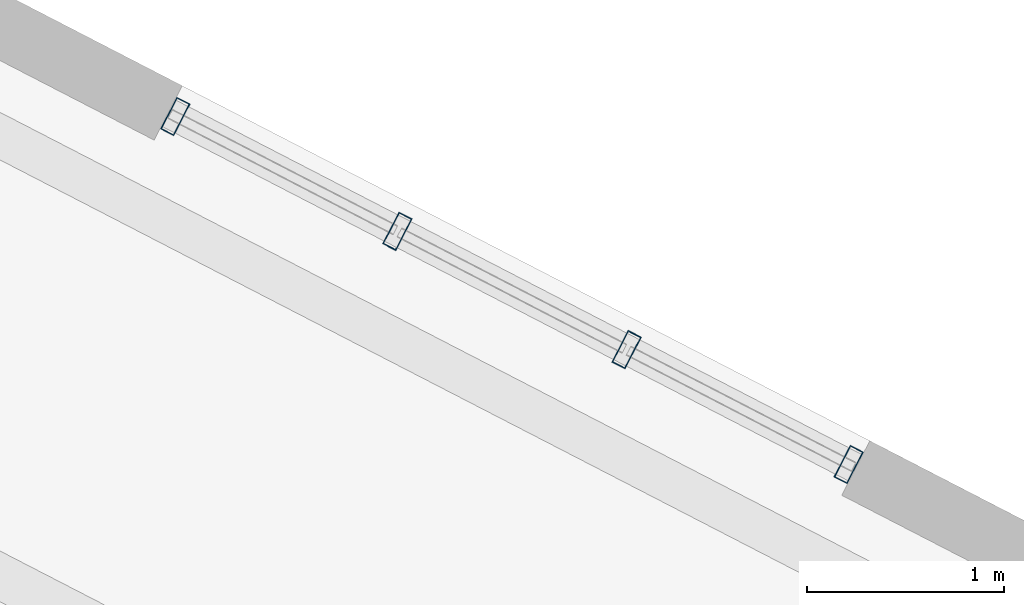
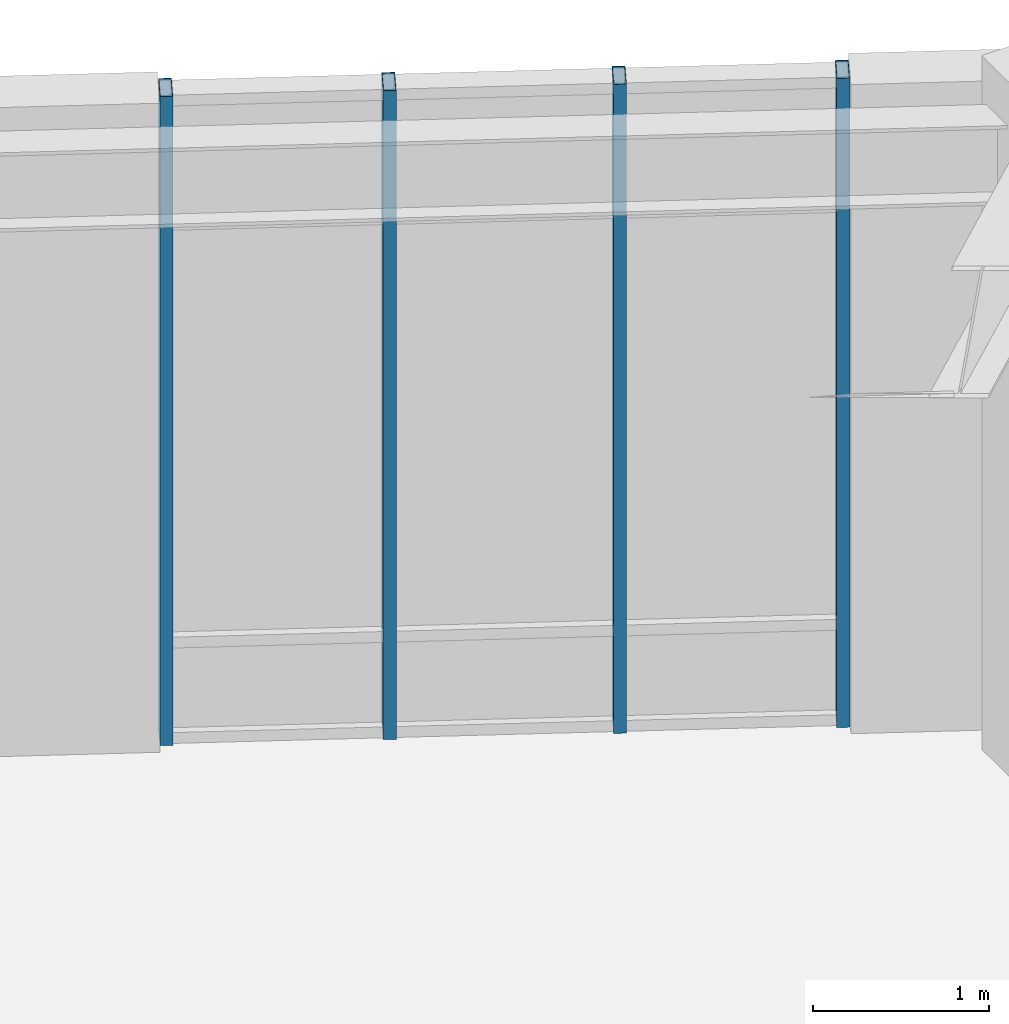
# One storey, part 8 of 18: 4 members, 1 element without a shape of its own.
"""IFC4 building model written with IfcOpenShell, lengths in metres."""

from ifc_helpers import new_model, si_unit, direction, frame, origin, origin_2d, place, context, subcontext, project, spatial, hollow_rectangle, extrude, material, layer, layer_set, material_profile, profile_set, type_object, element, aggregate, save


model = new_model("IFC4")

# Units and contexts
model_context = context("Model", 3, precision=1e-05, world=origin(), true_north=direction((0.0, 1.0)))
body_context = subcontext(model_context, "Body", "Model", "MODEL_VIEW")
ifc_project = project(units=[si_unit("LENGTHUNIT", "METRE"), si_unit("AREAUNIT", "SQUARE_METRE"), si_unit("VOLUMEUNIT", "CUBIC_METRE"), si_unit("PLANEANGLEUNIT", "RADIAN"), si_unit("MASSUNIT", "GRAM", prefix="KILO"), si_unit("THERMODYNAMICTEMPERATUREUNIT", "KELVIN"), si_unit("POWERUNIT", "WATT")], contexts=[model_context])

# Site, building, storey
site_placement = place(None, origin())
site = spatial("IfcSite", under=ifc_project, at=site_placement, CompositionType="ELEMENT")
building_placement = place(site_placement, origin())
building = spatial("IfcBuilding", under=site, at=building_placement, Name="Skarre Station Tower", CompositionType="ELEMENT")
storey_placement = place(building_placement, frame((0.0, 0.0, 270.300048828125)))
storey = spatial("IfcBuildingStorey", under=building, at=storey_placement, Name="L74", CompositionType="ELEMENT", Elevation=270.300048828125)

# Curtain wall, members
ifc_material_1 = material(Name="Thermally Broken Bronze-Anodized Aluminium & Triple Low-E Glass", Category="aluminium")
ifc_layer = layer(ifc_material_1, 0.219970703125, Name="Thermally Broken Bronze-Anodized Aluminium & Triple Low-E Glass")
ifc_layer_set = layer_set([ifc_layer], Name="Thermally Broken Bronze-Anodized Aluminium & Triple Low-E Glass")
curtain_wall_type = type_object("IfcCurtainWallType", Name="Observation Deck Panorama Unitised Curtain Wall", PredefinedType="NOTDEFINED", material=ifc_layer_set)
curtain_wall_placement = place(storey_placement, origin())
curtain_wall = element("IfcCurtainWall", 1, at=curtain_wall_placement, inside=storey, type_object=curtain_wall_type, Name="L74 Facet 0 Observatory Curtain Wall", PredefinedType="NOTDEFINED")
ifc_material_2 = material(Name="Anodized Aluminium 6063-T6", Category="aluminium")
ifc_material_profile = material_profile(ifc_material_2, hollow_rectangle(XDim=0.074951171875, YDim=0.179931640625, WallThickness=0.00390625, at=origin_2d()), Name="Anodized Aluminium 6063-T6")
ifc_profile_set = profile_set([ifc_material_profile], Name="Anodized Aluminium 6063-T6")
member_type = type_object("IfcMemberType", Name="Curtain-Wall Unitised Tower Mullion 180x75", PredefinedType="MULLION", material=ifc_profile_set)
member_1_placement = place(storey_placement, frame((41.635986328125, 38.071044921875, 0.0), z_axis=(0.0, 0.0, 1.0), x_axis=(0.88848110948, -0.458913192332, 0.0)))
member_1 = element("IfcMember", 2, at=member_1_placement, type_object=member_type, Name="L74 Facet 0 Observatory Curtain Wall Mullion 1", PredefinedType="MULLION", context=body_context, shape_type="SweptSolid", body=[
    extrude(hollow_rectangle(XDim=0.074951171875, YDim=0.179931640625, WallThickness=0.00390625, at=origin_2d()), origin(), (0.0, 0.0, 1.0), 4.489990234375),
])
member_2_placement = place(storey_placement, frame((42.760986328125, 37.489013671875, 0.0), z_axis=(0.0, 0.0, 1.0), x_axis=(0.88848110948, -0.458913192332, 0.0)))
member_2 = element("IfcMember", 3, at=member_2_placement, type_object=member_type, Name="L74 Facet 0 Observatory Curtain Wall Mullion 2", PredefinedType="MULLION", context=body_context, shape_type="SweptSolid", body=[
    extrude(hollow_rectangle(XDim=0.074951171875, YDim=0.179931640625, WallThickness=0.00390625, at=origin_2d()), origin(), (0.0, 0.0, 1.0), 4.489990234375),
])
member_3_placement = place(storey_placement, frame((43.922119140625, 36.889892578125, 0.0), z_axis=(0.0, 0.0, 1.0), x_axis=(0.88848110948, -0.458913192332, 0.0)))
member_3 = element("IfcMember", 4, at=member_3_placement, type_object=member_type, Name="L74 Facet 0 Observatory Curtain Wall Mullion 3", PredefinedType="MULLION", context=body_context, shape_type="SweptSolid", body=[
    extrude(hollow_rectangle(XDim=0.074951171875, YDim=0.179931640625, WallThickness=0.00390625, at=origin_2d()), origin(), (0.0, 0.0, 1.0), 4.489990234375),
])
member_4_placement = place(storey_placement, frame((45.047119140625, 36.30810546875, 0.0), z_axis=(0.0, 0.0, 1.0), x_axis=(0.88848110948, -0.458913192332, 0.0)))
member_4 = element("IfcMember", 5, at=member_4_placement, type_object=member_type, Name="L74 Facet 0 Observatory Curtain Wall Mullion 4", PredefinedType="MULLION", context=body_context, shape_type="SweptSolid", body=[
    extrude(hollow_rectangle(XDim=0.074951171875, YDim=0.179931640625, WallThickness=0.00390625, at=origin_2d()), origin(), (0.0, 0.0, 1.0), 4.489990234375),
])
aggregate(curtain_wall, [member_1, member_2, member_3, member_4])

save(model, "model.ifc")
